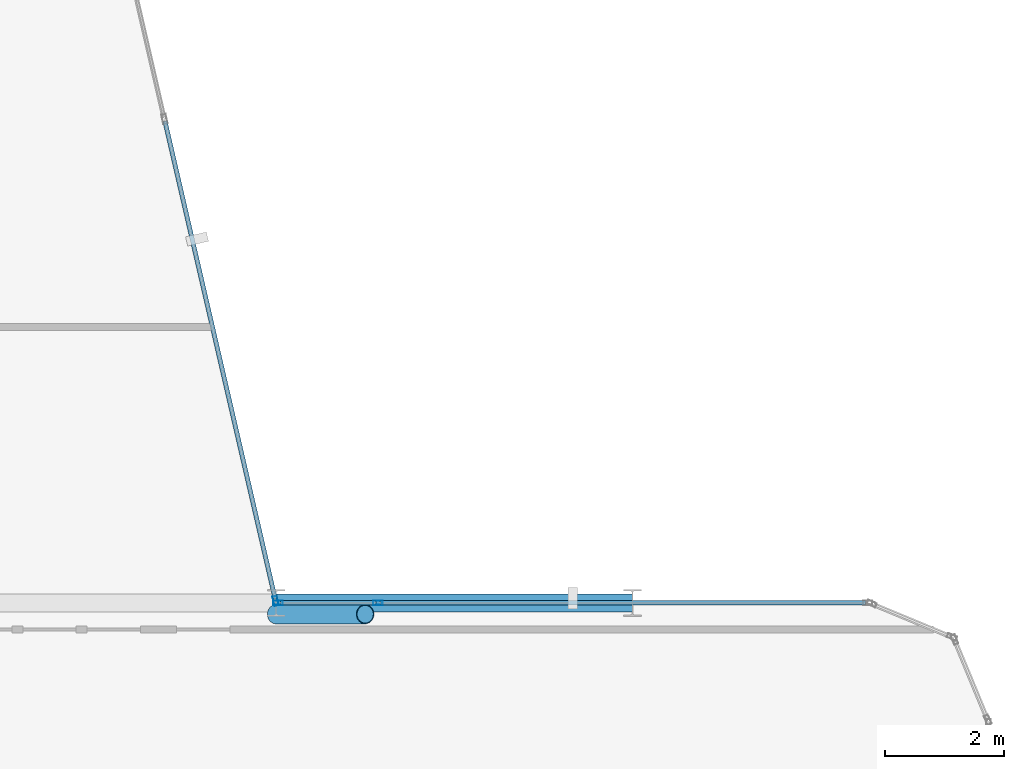
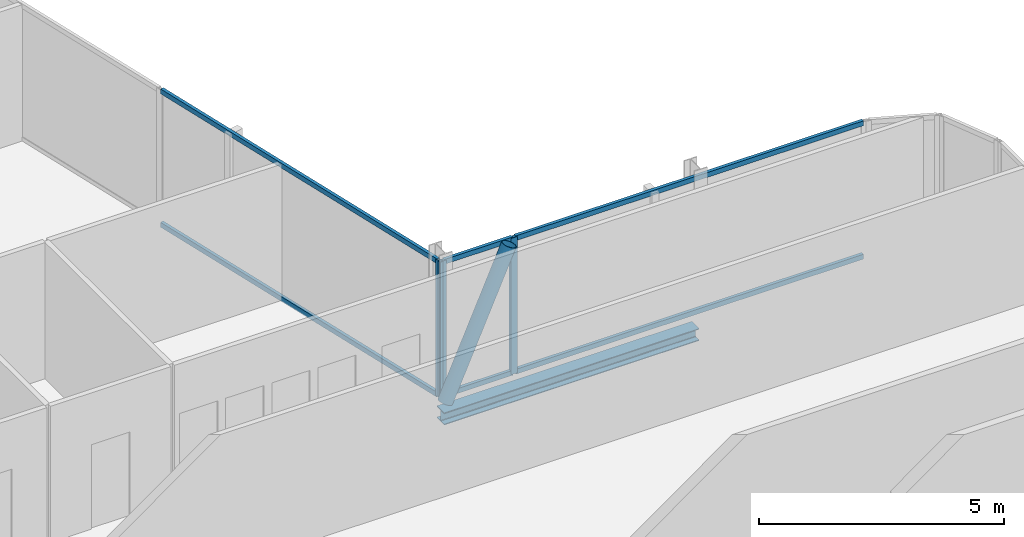
# One storey, part 14 of 29: 10 members, 1 beam, 3 elements without a shape of their own.
"""IFC4 building model written with IfcOpenShell, lengths in metres."""

from ifc_helpers import new_model, si_unit, direction, frame, origin, origin_2d, place, context, subcontext, project, spatial, hollow_rectangle, hollow_circle, i_section, extrude, material, layer, layer_set, material_profile, profile_set, type_object, element, aggregate, save


model = new_model("IFC4")

# Units and contexts
model_context = context("Model", 3, precision=1e-05, world=origin(), true_north=direction((0.0, 1.0)))
body_context = subcontext(model_context, "Body", "Model", "MODEL_VIEW")
ifc_project = project(units=[si_unit("LENGTHUNIT", "METRE"), si_unit("AREAUNIT", "SQUARE_METRE"), si_unit("VOLUMEUNIT", "CUBIC_METRE"), si_unit("PLANEANGLEUNIT", "RADIAN"), si_unit("MASSUNIT", "GRAM", prefix="KILO")], contexts=[model_context])

# Site, building, storey
site_placement = place(None, origin())
site = spatial("IfcSite", under=ifc_project, at=site_placement, CompositionType="ELEMENT")
building_placement = place(site_placement, origin())
building = spatial("IfcBuilding", under=site, at=building_placement, Name="Keshet Zoharim Tower", CompositionType="ELEMENT")
storey_placement = place(building_placement, frame((0.0, 0.0, 188.39990234375)))
storey = spatial("IfcBuildingStorey", under=building, at=storey_placement, Name="L46", CompositionType="ELEMENT", Elevation=188.39990234375)

# Beam
ifc_material_1 = material(Name="Steel S355", Category="steel")
ifc_material_profile_1 = material_profile(ifc_material_1, i_section(OverallWidth=0.300048828125, OverallDepth=0.300048828125, WebThickness=0.010986328125, FlangeThickness=0.01904296875, FilletRadius=0.027099609375, at=origin_2d()), Name="HEB300")
ifc_profile_set_1 = profile_set([ifc_material_profile_1], Name="Steel S355")
beam_type = type_object("IfcBeamType", Name="BM-PRI-HB300", PredefinedType="BEAM", material=ifc_profile_set_1)
beam_placement = place(storey_placement, frame((45.0, 27.89990234375, -0.4599609375), z_axis=(1.0, 0.0, 0.0), x_axis=(0.0, 1.0, 0.0)))
element("IfcBeam", 1, at=beam_placement, inside=storey, type_object=beam_type, Name="L46 Primary Girder X-016", PredefinedType="BEAM", context=body_context, shape_type="SweptSolid", body=[
    extrude(i_section(OverallWidth=0.300048828125, OverallDepth=0.300048828125, WebThickness=0.010986328125, FlangeThickness=0.01904296875, FilletRadius=0.027099609375, at=origin_2d()), origin(), (0.0, 0.0, 1.0), 6.0),
])

# Curtain wall, member
ifc_material_2 = material(Name="Aluminium 6063-T6", Category="aluminium")
ifc_layer = layer(ifc_material_2, 0.139892578125)
ifc_layer_set = layer_set([ifc_layer], Name="Aluminium 6063-T6")
curtain_wall_type = type_object("IfcCurtainWallType", Name="CW-SYS-05", PredefinedType="NOTDEFINED", material=ifc_layer_set)
curtain_wall_1_placement = place(storey_placement, origin())
curtain_wall_1 = element("IfcCurtainWall", 2, at=curtain_wall_1_placement, inside=storey, type_object=curtain_wall_type, Name="L46 Unitised Curtain Wall 19", PredefinedType="NOTDEFINED")
ifc_material_profile_2 = material_profile(ifc_material_2, hollow_rectangle(XDim=0.074951171875, YDim=0.159912109375, WallThickness=0.00390625, at=origin_2d()), Name="MUL-75x160")
ifc_profile_set_2 = profile_set([ifc_material_profile_2], Name="Aluminium 6063-T6")
member_type_1 = type_object("IfcMemberType", Name="CWM-M15", PredefinedType="MULLION", material=ifc_profile_set_2)
member_1_placement = place(storey_placement, frame((44.9921875, 27.93408203125, 0.0), z_axis=(0.0, 0.0, 1.0), x_axis=(0.974393882313, 0.224847864369, 0.0)))
member_1 = element("IfcMember", 3, at=member_1_placement, type_object=member_type_1, Name="CW-05 mullion 4", PredefinedType="MULLION", context=body_context, shape_type="SweptSolid", body=[
    extrude(hollow_rectangle(XDim=0.074951171875, YDim=0.159912109375, WallThickness=0.00390625, at=origin_2d()), origin(), (0.0, 0.0, 1.0), 3.39013671875),
])

# Curtain wall, members
curtain_wall_2_placement = place(storey_placement, origin())
curtain_wall_2 = element("IfcCurtainWall", 4, at=curtain_wall_2_placement, inside=storey, type_object=curtain_wall_type, Name="L46 Unitised Curtain Wall 20", PredefinedType="NOTDEFINED")
member_2_placement = place(storey_placement, frame((45.034912109375, 27.89990234375, 0.0), z_axis=(0.0, 0.0, 1.0), x_axis=(0.0, 1.0, 0.0)))
member_2 = element("IfcMember", 5, at=member_2_placement, type_object=member_type_1, Name="CW-05 mullion 1", PredefinedType="MULLION", context=body_context, shape_type="SweptSolid", body=[
    extrude(hollow_rectangle(XDim=0.074951171875, YDim=0.159912109375, WallThickness=0.00390625, at=origin_2d()), origin(), (0.0, 0.0, 1.0), 3.39013671875),
])
member_3_placement = place(storey_placement, frame((46.713134765625, 27.89990234375, 0.0), z_axis=(0.0, 0.0, 1.0), x_axis=(0.0, 1.0, 0.0)))
member_3 = element("IfcMember", 6, at=member_3_placement, type_object=member_type_1, Name="CW-05 mullion 2", PredefinedType="MULLION", context=body_context, shape_type="SweptSolid", body=[
    extrude(hollow_rectangle(XDim=0.074951171875, YDim=0.159912109375, WallThickness=0.00390625, at=origin_2d()), origin(), (0.0, 0.0, 1.0), 3.39013671875),
])

# Member
ifc_material_profile_3 = material_profile(ifc_material_2, hollow_rectangle(XDim=0.074951171875, YDim=0.1201171875, WallThickness=0.00390625, at=origin_2d()), Name="TRN-75x120")
ifc_profile_set_3 = profile_set([ifc_material_profile_3], Name="Aluminium 6063-T6")
member_type_2 = type_object("IfcMemberType", Name="CWT-T12", PredefinedType="USERDEFINED", material=ifc_profile_set_3)
member_4_placement = place(storey_placement, frame((43.127197265625, 36.015869140625, 0.03515625), z_axis=(0.224863824467, -0.974390199277, 0.0), x_axis=(0.974390199277, 0.224863824467, 0.0)))
member_4 = element("IfcMember", 7, at=member_4_placement, type_object=member_type_2, Name="CW-05 transom 3.1", ObjectType="TRANSOM", PredefinedType="USERDEFINED", context=body_context, shape_type="SweptSolid", body=[
    extrude(hollow_rectangle(XDim=0.074951171875, YDim=0.1201171875, WallThickness=0.00390625, at=origin_2d()), origin(), (0.0, 0.0, 1.0), 8.259033203125),
])

member_5_placement = place(storey_placement, frame((43.127197265625, 36.015869140625, 3.35498046875), z_axis=(0.224863824467, -0.974390199277, 0.0), x_axis=(0.974390199277, 0.224863824467, 0.0)))
member_5 = element("IfcMember", 8, at=member_5_placement, type_object=member_type_2, Name="CW-05 transom 3.2", ObjectType="TRANSOM", PredefinedType="USERDEFINED", context=body_context, shape_type="SweptSolid", body=[
    extrude(hollow_rectangle(XDim=0.074951171875, YDim=0.1201171875, WallThickness=0.00390625, at=origin_2d()), origin(), (0.0, 0.0, 1.0), 8.259033203125),
])

aggregate(curtain_wall_1, [member_1, member_4, member_5])

member_6_placement = place(storey_placement, frame((45.070068359375, 27.89990234375, 0.03515625), z_axis=(1.0, 0.0, 0.0), x_axis=(0.0, 1.0, 0.0)))
member_6 = element("IfcMember", 9, at=member_6_placement, type_object=member_type_2, Name="CW-05 transom 1.1", ObjectType="TRANSOM", PredefinedType="USERDEFINED", context=body_context, shape_type="SweptSolid", body=[
    extrude(hollow_rectangle(XDim=0.074951171875, YDim=0.1201171875, WallThickness=0.00390625, at=origin_2d()), origin(), (0.0, 0.0, 1.0), 1.60791015625),
])

member_7_placement = place(storey_placement, frame((45.070068359375, 27.89990234375, 3.35498046875), z_axis=(1.0, 0.0, 0.0), x_axis=(0.0, 1.0, 0.0)))
member_7 = element("IfcMember", 10, at=member_7_placement, type_object=member_type_2, Name="CW-05 transom 1.2", ObjectType="TRANSOM", PredefinedType="USERDEFINED", context=body_context, shape_type="SweptSolid", body=[
    extrude(hollow_rectangle(XDim=0.074951171875, YDim=0.1201171875, WallThickness=0.00390625, at=origin_2d()), origin(), (0.0, 0.0, 1.0), 1.60791015625),
])

aggregate(curtain_wall_2, [member_2, member_3, member_6, member_7])

# Curtain wall, members
curtain_wall_3_placement = place(storey_placement, origin())
curtain_wall_3 = element("IfcCurtainWall", 11, at=curtain_wall_3_placement, inside=storey, type_object=curtain_wall_type, Name="L46 Unitised Curtain Wall 20 Part 2", PredefinedType="NOTDEFINED")
member_8_placement = place(storey_placement, frame((46.748046875, 27.89990234375, 0.03515625), z_axis=(1.0, 0.0, 0.0), x_axis=(0.0, 1.0, 0.0)))
member_8 = element("IfcMember", 12, at=member_8_placement, type_object=member_type_2, Name="CW-05 transom 1.1", ObjectType="TRANSOM", PredefinedType="USERDEFINED", context=body_context, shape_type="SweptSolid", body=[
    extrude(hollow_rectangle(XDim=0.074951171875, YDim=0.1201171875, WallThickness=0.00390625, at=origin_2d()), origin(), (0.0, 0.0, 1.0), 8.181884765625),
])
member_9_placement = place(storey_placement, frame((46.748046875, 27.89990234375, 3.35498046875), z_axis=(1.0, 0.0, 0.0), x_axis=(0.0, 1.0, 0.0)))
member_9 = element("IfcMember", 13, at=member_9_placement, type_object=member_type_2, Name="CW-05 transom 1.2", ObjectType="TRANSOM", PredefinedType="USERDEFINED", context=body_context, shape_type="SweptSolid", body=[
    extrude(hollow_rectangle(XDim=0.074951171875, YDim=0.1201171875, WallThickness=0.00390625, at=origin_2d()), origin(), (0.0, 0.0, 1.0), 8.181884765625),
])
aggregate(curtain_wall_3, [member_8, member_9])

# Member
ifc_material_profile_4 = material_profile(ifc_material_1, hollow_circle(Radius=0.161865234375, WallThickness=0.012451171875, at=origin_2d()), Name="CHS323x12.5")
ifc_profile_set_4 = profile_set([ifc_material_profile_4], Name="Steel S355")
member_type_3 = type_object("IfcMemberType", Name="MB-BR-C323", PredefinedType="BRACE", material=ifc_profile_set_4)
member_10_placement = place(storey_placement, frame((45.0, 27.7099609375, 0.0), z_axis=(0.404622528463, 0.0, 0.914483793984), x_axis=(0.0, 1.0, 0.0)))
element("IfcMember", 14, at=member_10_placement, inside=storey, type_object=member_type_3, Name="L46 Perimeter Tube Brace 04", PredefinedType="BRACE", context=body_context, shape_type="SweptSolid", body=[
    extrude(hollow_circle(Radius=0.161865234375, WallThickness=0.012451171875, at=origin_2d()), origin(), (0.0, 0.0, 1.0), 3.707275390625),
])

save(model, "model.ifc")
